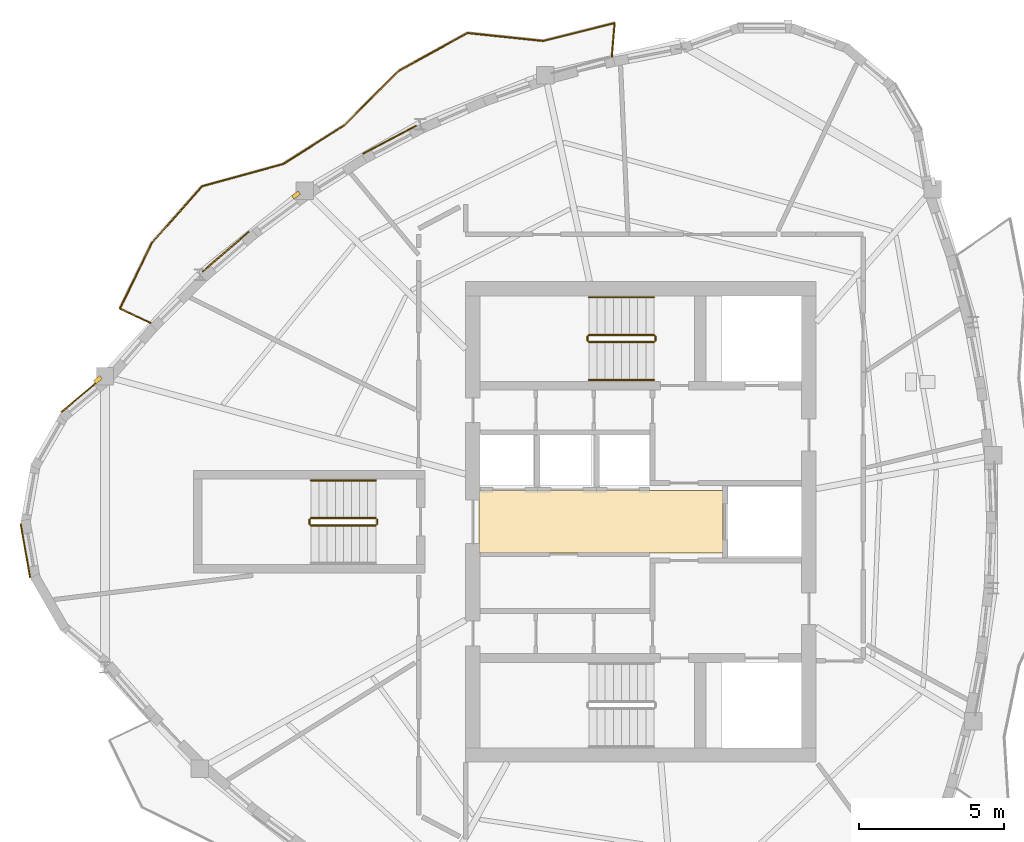
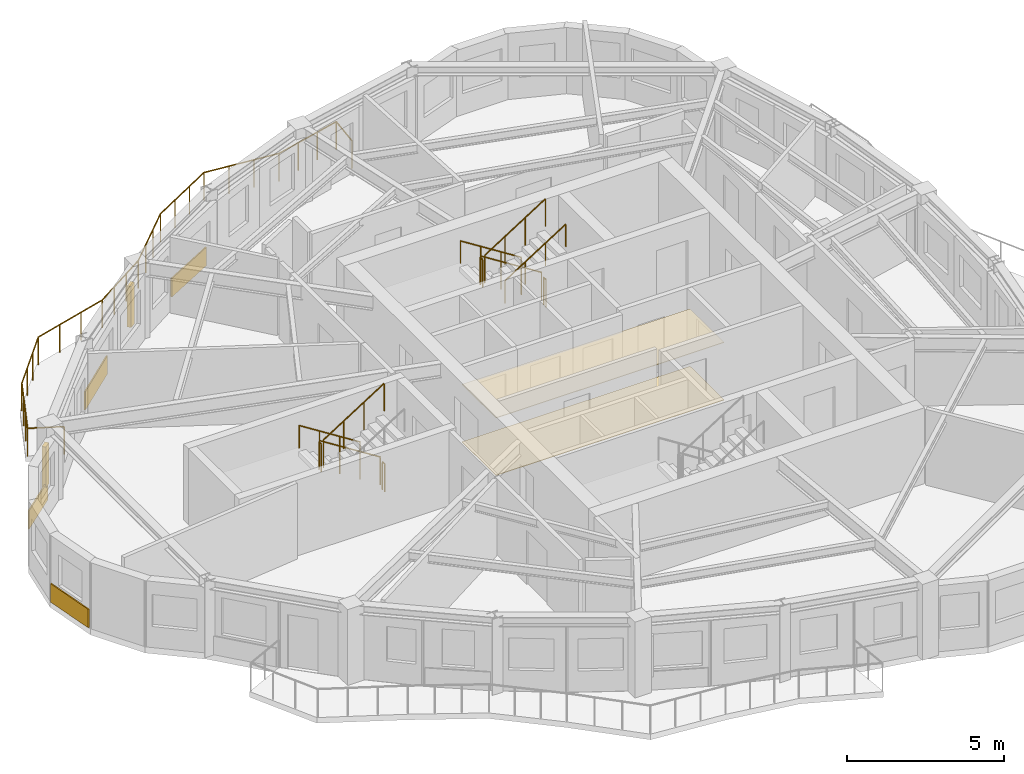
# One storey, part 9 of 11: 12 railings, 6 coverings, 2 shading devices.
"""IFC4 building model written with IfcOpenShell, lengths in metres."""

from ifc_helpers import new_model, si_unit, direction, frame, origin, origin_2d, place, context, subcontext, project, spatial, polyline, rectangle, circle, outline, extrude, source, transform, mapped, material, layer, layer_set, type_object, element, save


model = new_model("IFC4")

# Units and contexts
model_context = context("Model", 3, precision=1e-05, world=origin(), true_north=direction((0.0, 1.0)))
body_context = subcontext(model_context, "Body", "Model", "MODEL_VIEW")
ifc_project = project(units=[si_unit("LENGTHUNIT", "METRE"), si_unit("AREAUNIT", "SQUARE_METRE"), si_unit("VOLUMEUNIT", "CUBIC_METRE"), si_unit("PLANEANGLEUNIT", "RADIAN"), si_unit("MASSUNIT", "GRAM", prefix="KILO")], contexts=[model_context])

# Site, building, storey
site_placement = place(None, origin())
site = spatial("IfcSite", under=ifc_project, at=site_placement, CompositionType="ELEMENT")
building_placement = place(site_placement, origin())
building = spatial("IfcBuilding", under=site, at=building_placement, Name="Qafzar Sky-Pleat Residences", CompositionType="ELEMENT")
storey_placement = place(building_placement, frame((0.0, 0.0, 218.0)))
storey = spatial("IfcBuildingStorey", under=building, at=storey_placement, Name="L65", CompositionType="ELEMENT", Elevation=218.0)

# Coverings
ifc_material_1 = material(Name="Perforated acoustic gypsum board ceiling")
ifc_layer_1 = layer(ifc_material_1, 0.02001953125)
ifc_layer_set_1 = layer_set([ifc_layer_1], Name="Perforated acoustic gypsum board ceiling")
covering_type_1 = type_object("IfcCoveringType", Name="COV-CEIL-ACOUSTIC", PredefinedType="CEILING", material=ifc_layer_set_1)
covering_1_placement = place(storey_placement, frame((0.0, 0.0, 2.239990234375)))
element("IfcCovering", 1, at=covering_1_placement, inside=storey, type_object=covering_type_1, Name="L65 Passenger Lift Lobby Acoustic Ceiling", PredefinedType="CEILING", context=body_context, shape_type="SweptSolid", body=[
    extrude(outline(polyline([(33.179931640625, 24.919921875), (24.77001953125, 24.919921875), (24.77001953125, 27.080078125), (33.179931640625, 27.080078125), (33.179931640625, 24.919921875)])), origin(), (0.0, 0.0, 1.0), 0.02001953125),
])
ifc_material_2 = material(Name="Honed porcelain and Riyadh stone tile flooring", Category="masonry")
ifc_layer_2 = layer(ifc_material_2, 0.02001953125)
ifc_layer_set_2 = layer_set([ifc_layer_2], Name="Honed porcelain and Riyadh stone tile flooring")
covering_type_2 = type_object("IfcCoveringType", Name="COV-FLR-PORCELAIN", PredefinedType="FLOORING", material=ifc_layer_set_2)
covering_2_placement = place(storey_placement, origin())
element("IfcCovering", 2, at=covering_2_placement, inside=storey, type_object=covering_type_2, Name="L65 Passenger Lift Lobby Honed Stone Flooring", PredefinedType="FLOORING", context=body_context, shape_type="SweptSolid", body=[
    extrude(outline(polyline([(33.179931640625, 24.919921875), (24.77001953125, 24.919921875), (24.77001953125, 27.080078125), (33.179931640625, 27.080078125), (33.179931640625, 24.919921875)])), origin(), (0.0, 0.0, 1.0), 0.02001953125),
])

# Shading devices
ifc_material_3 = material(Name="Honed Riyadh limestone solar fin", Category="masonry")
ifc_layer_3 = layer(ifc_material_3, 0.139892578125)
ifc_layer_set_3 = layer_set([ifc_layer_3], Name="Honed Riyadh limestone solar fin")
shading_device_type = type_object("IfcShadingDeviceType", Name="SHD-FIN-STONE", PredefinedType="SHUTTER", material=ifc_layer_set_3)
shared_shape_1 = source(origin(), body_context, "Body", "SweptSolid", [
    extrude(rectangle(XDim=0.139892578125, YDim=0.280029296875, at=origin_2d()), origin(), (0.0, 0.0, 1.0), 1.60009765625),
])
for number, where, z_axis, x_axis, name in (
    (3, (11.608154296875, 30.90478515625, 0.599853515625), (0.0, 0.0, 1.0), (-0.642754210861, 0.76607246682, 0.0), "L65 Limestone Solar Fin 1"),
    (4, (18.4462890625, 37.279296875, 0.599853515625), (0.0, 0.0, 1.0), (-0.594882727746, 0.803812503156, 0.0), "L65 Limestone Solar Fin 45"),
):
    element("IfcShadingDevice", number, at=place(storey_placement, frame(where, z_axis=z_axis, x_axis=x_axis)), inside=storey, type_object=shading_device_type, Name=name, PredefinedType="SHUTTER", context=body_context, shape_type="MappedRepresentation", body=[
        mapped(shared_shape_1, transform((0.0, 0.0, 0.0), x_axis=(1.0, 0.0, 0.0), y_axis=(0.0, 1.0, 0.0), z_axis=(0.0, 0.0, 1.0), scale=1.0)),
    ])

# Coverings
ifc_material_4 = material(Name="Honed Riyadh Tuwaiq limestone cladding", Category="masonry")
ifc_layer_4 = layer(ifc_material_4, 0.044921875)
ifc_layer_set_4 = layer_set([ifc_layer_4], Name="Honed Riyadh Tuwaiq limestone cladding")
covering_type_3 = type_object("IfcCoveringType", Name="COV-CLAD-STONE", PredefinedType="CLADDING", material=ifc_layer_set_4)
shared_shape_2 = source(origin(), body_context, "Body", "SweptSolid", [
    extrude(rectangle(XDim=1.88134765625, YDim=0.044921875, at=origin_2d()), origin(), (0.0, 0.0, 1.0), 0.719970703125),
])
covering_3_placement = place(storey_placement, frame((9.103271484375, 25.00439453125, 0.02001953125), z_axis=(0.0, 0.0, 1.0), x_axis=(0.173662519465, -0.984805224059, 0.0)))
element("IfcCovering", 5, at=covering_3_placement, inside=storey, type_object=covering_type_3, Name="L65 Riyadh Limestone Spandrel Cladding 4", PredefinedType="CLADDING", context=body_context, shape_type="MappedRepresentation", body=[
    mapped(shared_shape_2, transform((0.0, 0.0, 0.0), x_axis=(1.0, 0.0, 0.0), y_axis=(0.0, 1.0, 0.0), z_axis=(0.0, 0.0, 1.0), scale=1.0)),
])
shared_shape_3 = source(origin(), body_context, "Body", "SweptSolid", [
    extrude(rectangle(XDim=1.76611328125, YDim=0.044921875, at=origin_2d()), origin(), (0.0, 0.0, 1.0), 0.719970703125),
])
covering_4_placement = place(storey_placement, frame((11.015380859375, 30.351318359375, 0.02001953125), z_axis=(0.0, 0.0, 1.0), x_axis=(-0.76607417096, -0.642752179762, 0.0)))
element("IfcCovering", 6, at=covering_4_placement, inside=storey, type_object=covering_type_3, Name="L65 Riyadh Limestone Spandrel Cladding 1", PredefinedType="CLADDING", context=body_context, shape_type="MappedRepresentation", body=[
    mapped(shared_shape_3, transform((0.0, 0.0, 0.0), x_axis=(1.0, 0.0, 0.0), y_axis=(0.0, 1.0, 0.0), z_axis=(0.0, 0.0, 1.0), scale=1.0)),
])
shared_shape_4 = source(origin(), body_context, "Body", "SweptSolid", [
    extrude(rectangle(XDim=2.0830078125, YDim=0.044921875, at=origin_2d()), origin(), (0.0, 0.0, 1.0), 0.719970703125),
])
covering_5_placement = place(storey_placement, frame((21.677001953125, 39.1904296875, 0.02001953125), z_axis=(0.0, 0.0, 1.0), x_axis=(-0.884395651499, -0.466737968896, 0.0)))
element("IfcCovering", 7, at=covering_5_placement, inside=storey, type_object=covering_type_3, Name="L65 Riyadh Limestone Spandrel Cladding 43", PredefinedType="CLADDING", context=body_context, shape_type="MappedRepresentation", body=[
    mapped(shared_shape_4, transform((0.0, 0.0, 0.0), x_axis=(1.0, 0.0, 0.0), y_axis=(0.0, 1.0, 0.0), z_axis=(0.0, 0.0, 1.0), scale=1.0)),
])
shared_shape_5 = source(origin(), body_context, "Body", "SweptSolid", [
    extrude(rectangle(XDim=2.11865234375, YDim=0.044921875, at=origin_2d()), origin(), (0.0, 0.0, 1.0), 0.719970703125),
])
covering_6_placement = place(storey_placement, frame((16.01953125, 35.324462890625, 0.02001953125), z_axis=(0.0, 0.0, 1.0), x_axis=(-0.757484574267, -0.652853061376, 0.0)))
element("IfcCovering", 8, at=covering_6_placement, inside=storey, type_object=covering_type_3, Name="L65 Riyadh Limestone Spandrel Cladding 46", PredefinedType="CLADDING", context=body_context, shape_type="MappedRepresentation", body=[
    mapped(shared_shape_5, transform((0.0, 0.0, 0.0), x_axis=(1.0, 0.0, 0.0), y_axis=(0.0, 1.0, 0.0), z_axis=(0.0, 0.0, 1.0), scale=1.0)),
])

# Railings
ifc_material_5 = material(Name="Laminated glass and bronze steel balustrade", Category="steel")
railing_type_1 = type_object("IfcRailingType", Name="RAIL-BAL-1100", PredefinedType="BALUSTRADE", material=ifc_material_5)
shared_shape_6 = source(origin(), body_context, "Body", "SweptSolid", [
    extrude(circle(Radius=0.02392578125, at=origin_2d()), frame((0.0, 0.0, 1.076171875), z_axis=(0.083525741436, 0.996505619913, 0.0), x_axis=(-0.996505619913, 0.083525741436, 0.0)), (0.0, 0.0, 1.0), 1.177978515625),
    extrude(circle(Radius=0.02392578125, at=origin_2d()), frame((0.098388671875, 1.173828125, 1.076171875), z_axis=(-0.970085963731, -0.242761658779, 0.0), x_axis=(0.242761658779, -0.970085963731, 0.0)), (0.0, 0.0, 1.0), 2.541259765625),
    extrude(circle(Radius=0.02392578125, at=origin_2d()), frame((-2.366943359375, 0.556884765625, 1.076171875), z_axis=(-0.994540528943, 0.104351024386, 0.0), x_axis=(-0.104351024386, -0.994540528943, 0.0)), (0.0, 0.0, 1.0), 2.62744140625),
    extrude(circle(Radius=0.02392578125, at=origin_2d()), frame((-4.97998046875, 0.8310546875, 1.076171875), z_axis=(-0.875910423282, -0.482473761345, 0.0), x_axis=(0.482473761345, -0.875910423282, 0.0)), (0.0, 0.0, 1.0), 2.684326171875),
    extrude(circle(Radius=0.02392578125, at=origin_2d()), frame((-7.331298828125, -0.464111328125, 1.076171875), z_axis=(-0.709638596907, -0.704565867595, 0.0), x_axis=(0.704565867595, -0.709638596907, 0.0)), (0.0, 0.0, 1.0), 2.695068359375),
    extrude(circle(Radius=0.02392578125, at=origin_2d()), frame((-9.243896484375, -2.363037109375, 1.076171875), z_axis=(-0.84481759386, -0.535054420695, 0.0), x_axis=(0.535054420695, -0.84481759386, 0.0)), (0.0, 0.0, 1.0), 2.482666015625),
    extrude(circle(Radius=0.02392578125, at=origin_2d()), frame((-11.34130859375, -3.69140625, 1.076171875), z_axis=(-0.964468266702, -0.264198717871, 0.0), x_axis=(0.264198717871, -0.964468266702, 0.0)), (0.0, 0.0, 1.0), 2.903564453125),
    extrude(circle(Radius=0.02392578125, at=origin_2d()), frame((-14.1416015625, -4.45849609375, 1.076171875), z_axis=(-0.663436920311, -0.748232218478, 0.0), x_axis=(0.748232218478, -0.663436920311, 0.0)), (0.0, 0.0, 1.0), 2.6171875),
    extrude(circle(Radius=0.02392578125, at=origin_2d()), frame((-15.8779296875, -6.416748046875, 1.076171875), z_axis=(-0.436294891901, -0.899803738213, 0.0), x_axis=(0.899803738213, -0.436294891901, 0.0)), (0.0, 0.0, 1.0), 2.52099609375),
    extrude(circle(Radius=0.02392578125, at=origin_2d()), frame((-16.977783203125, -8.68505859375, 1.076171875), z_axis=(0.904748228612, -0.42594676055, 0.0), x_axis=(0.42594676055, 0.904748228612, 0.0)), (0.0, 0.0, 1.0), 1.177978515625),
    extrude(circle(Radius=0.02099609375, at=origin_2d()), origin(), (0.0, 0.0, 1.0), 1.052001953125),
    extrude(circle(Radius=0.02099609375, at=origin_2d()), frame((0.098388671875, 1.173828125, 0.0)), (0.0, 0.0, 1.0), 1.052001953125),
    extrude(circle(Radius=0.02099609375, at=origin_2d()), frame((-0.723388671875, 0.96826171875, 0.0)), (0.0, 0.0, 1.0), 1.052001953125),
    extrude(circle(Radius=0.02099609375, at=origin_2d()), frame((-1.545166015625, 0.762451171875, 0.0)), (0.0, 0.0, 1.0), 1.052001953125),
    extrude(circle(Radius=0.02099609375, at=origin_2d()), frame((-2.366943359375, 0.556884765625, 0.0)), (0.0, 0.0, 1.0), 1.052001953125),
    extrude(circle(Radius=0.02099609375, at=origin_2d()), frame((-3.238037109375, 0.648193359375, 0.0)), (0.0, 0.0, 1.0), 1.052001953125),
    extrude(circle(Radius=0.02099609375, at=origin_2d()), frame((-4.10888671875, 0.73974609375, 0.0)), (0.0, 0.0, 1.0), 1.052001953125),
    extrude(circle(Radius=0.02099609375, at=origin_2d()), frame((-4.97998046875, 0.8310546875, 0.0)), (0.0, 0.0, 1.0), 1.052001953125),
    extrude(circle(Radius=0.02099609375, at=origin_2d()), frame((-5.763671875, 0.3994140625, 0.0)), (0.0, 0.0, 1.0), 1.052001953125),
    extrude(circle(Radius=0.02099609375, at=origin_2d()), frame((-6.547607421875, -0.032470703125, 0.0)), (0.0, 0.0, 1.0), 1.052001953125),
    extrude(circle(Radius=0.02099609375, at=origin_2d()), frame((-7.331298828125, -0.464111328125, 0.0)), (0.0, 0.0, 1.0), 1.052001953125),
    extrude(circle(Radius=0.02099609375, at=origin_2d()), frame((-7.96875, -1.09716796875, 0.0)), (0.0, 0.0, 1.0), 1.052001953125),
    extrude(circle(Radius=0.02099609375, at=origin_2d()), frame((-8.6064453125, -1.72998046875, 0.0)), (0.0, 0.0, 1.0), 1.052001953125),
    extrude(circle(Radius=0.02099609375, at=origin_2d()), frame((-9.243896484375, -2.363037109375, 0.0)), (0.0, 0.0, 1.0), 1.052001953125),
    extrude(circle(Radius=0.02099609375, at=origin_2d()), frame((-9.943115234375, -2.805908203125, 0.0)), (0.0, 0.0, 1.0), 1.052001953125),
    extrude(circle(Radius=0.02099609375, at=origin_2d()), frame((-10.64208984375, -3.24853515625, 0.0)), (0.0, 0.0, 1.0), 1.052001953125),
    extrude(circle(Radius=0.02099609375, at=origin_2d()), frame((-11.34130859375, -3.69140625, 0.0)), (0.0, 0.0, 1.0), 1.052001953125),
    extrude(circle(Radius=0.02099609375, at=origin_2d()), frame((-12.274658203125, -3.947021484375, 0.0)), (0.0, 0.0, 1.0), 1.052001953125),
    extrude(circle(Radius=0.02099609375, at=origin_2d()), frame((-13.208251953125, -4.202880859375, 0.0)), (0.0, 0.0, 1.0), 1.052001953125),
    extrude(circle(Radius=0.02099609375, at=origin_2d()), frame((-14.1416015625, -4.45849609375, 0.0)), (0.0, 0.0, 1.0), 1.052001953125),
    extrude(circle(Radius=0.02099609375, at=origin_2d()), frame((-14.720458984375, -5.111328125, 0.0)), (0.0, 0.0, 1.0), 1.052001953125),
    extrude(circle(Radius=0.02099609375, at=origin_2d()), frame((-15.299072265625, -5.763916015625, 0.0)), (0.0, 0.0, 1.0), 1.052001953125),
    extrude(circle(Radius=0.02099609375, at=origin_2d()), frame((-15.8779296875, -6.416748046875, 0.0)), (0.0, 0.0, 1.0), 1.052001953125),
    extrude(circle(Radius=0.02099609375, at=origin_2d()), frame((-16.24462890625, -7.1728515625, 0.0)), (0.0, 0.0, 1.0), 1.052001953125),
    extrude(circle(Radius=0.02099609375, at=origin_2d()), frame((-16.611083984375, -7.928955078125, 0.0)), (0.0, 0.0, 1.0), 1.052001953125),
    extrude(circle(Radius=0.02099609375, at=origin_2d()), frame((-16.977783203125, -8.68505859375, 0.0)), (0.0, 0.0, 1.0), 1.052001953125),
    extrude(circle(Radius=0.02099609375, at=origin_2d()), frame((-15.912109375, -9.186767578125, 0.0)), (0.0, 0.0, 1.0), 1.052001953125),
])
railing_1_placement = place(storey_placement, frame((29.34619140625, 42.0419921875, 0.0)))
element("IfcRailing", 9, at=railing_1_placement, inside=storey, type_object=railing_type_1, Name="L65 Pleated Balcony 2 Balustrade", PredefinedType="BALUSTRADE", context=body_context, shape_type="MappedRepresentation", body=[
    mapped(shared_shape_6, transform((0.0, 0.0, 0.0), x_axis=(1.0, 0.0, 0.0), y_axis=(0.0, 1.0, 0.0), z_axis=(0.0, 0.0, 1.0), scale=1.0)),
])
ifc_material_6 = material(Name="Painted Steel S355 stair guardrail", Category="steel")
railing_type_2 = type_object("IfcRailingType", Name="RAIL-STAIR-GUARD", PredefinedType="GUARDRAIL", material=ifc_material_6)
shared_shape_7 = source(origin(), body_context, "Body", "SweptSolid", [
    extrude(circle(Radius=0.02392578125, at=origin_2d()), frame((0.0, 0.0, 1.076171875), z_axis=(0.0, -1.0, 0.0), x_axis=(1.0, 0.0, 0.0)), (0.0, 0.0, 1.0), 0.14990234375),
    extrude(circle(Radius=0.02099609375, at=origin_2d()), origin(), (0.0, 0.0, 1.0), 1.052001953125),
    extrude(circle(Radius=0.02099609375, at=origin_2d()), frame((0.0, -0.14990234375, 0.0)), (0.0, 0.0, 1.0), 1.052001953125),
])
for number, where, name in (
    (10, (28.510009765625, 32.39990234375, 1.60009765625), "L65 ST2 stair guard 2"),
    (11, (30.85009765625, 32.39990234375, 0.0), "L65 ST2 stair guard 4"),
    (12, (18.909912109375, 26.074951171875, 1.60009765625), "L65 ST3 stair guard 2"),
    (13, (21.25, 26.074951171875, 0.0), "L65 ST3 stair guard 4"),
):
    element("IfcRailing", number, at=place(storey_placement, frame(where)), inside=storey, type_object=railing_type_2, Name=name, PredefinedType="GUARDRAIL", context=body_context, shape_type="MappedRepresentation", body=[
        mapped(shared_shape_7, transform((0.0, 0.0, 0.0), x_axis=(1.0, 0.0, 0.0), y_axis=(0.0, 1.0, 0.0), z_axis=(0.0, 0.0, 1.0), scale=1.0)),
    ])
shared_shape_8 = source(origin(), body_context, "Body", "SweptSolid", [
    extrude(circle(Radius=0.02392578125, at=origin_2d()), frame((0.0, 0.0, 1.076171875), z_axis=(0.8442293374, 0.0, 0.53598211339), x_axis=(0.0, 1.0, 0.0)), (0.0, 0.0, 1.0), 2.6533203125),
    extrude(circle(Radius=0.02099609375, at=origin_2d()), origin(), (0.0, 0.0, 1.0), 1.052001953125),
    extrude(circle(Radius=0.02099609375, at=origin_2d()), frame((0.74658203125, 0.0, 0.47412109375)), (0.0, 0.0, 1.0), 1.052001953125),
    extrude(circle(Radius=0.02099609375, at=origin_2d()), frame((1.493408203125, 0.0, 0.947998046875)), (0.0, 0.0, 1.0), 1.052001953125),
    extrude(circle(Radius=0.02099609375, at=origin_2d()), frame((2.239990234375, 0.0, 1.422119140625)), (0.0, 0.0, 1.0), 1.052001953125),
])
for number, where, name in (
    (14, (28.56005859375, 32.199951171875, 1.77783203125), "L65 ST2 stair guard 3"),
    (15, (18.9599609375, 25.875, 1.77783203125), "L65 ST3 stair guard 3"),
):
    element("IfcRailing", number, at=place(storey_placement, frame(where)), inside=storey, type_object=railing_type_2, Name=name, PredefinedType="GUARDRAIL", context=body_context, shape_type="MappedRepresentation", body=[
        mapped(shared_shape_8, transform((0.0, 0.0, 0.0), x_axis=(1.0, 0.0, 0.0), y_axis=(0.0, 1.0, 0.0), z_axis=(0.0, 0.0, 1.0), scale=1.0)),
    ])
ifc_material_7 = material(Name="Brushed stainless steel handrail", Category="steel")
railing_type_3 = type_object("IfcRailingType", Name="RAIL-STAIR-HAND", PredefinedType="HANDRAIL", material=ifc_material_7)
shared_shape_9 = source(origin(), body_context, "Body", "SweptSolid", [
    extrude(circle(Radius=0.02392578125, at=origin_2d()), frame((0.0, 0.0, 0.8759765625), z_axis=(0.8442293374, 0.0, 0.53598211339), x_axis=(0.0, 1.0, 0.0)), (0.0, 0.0, 1.0), 2.6533203125),
    extrude(circle(Radius=0.02099609375, at=origin_2d()), origin(), (0.0, 0.0, 1.0), 0.851806640625),
    extrude(circle(Radius=0.02099609375, at=origin_2d()), frame((0.74658203125, 0.0, 0.47412109375)), (0.0, 0.0, 1.0), 0.851806640625),
    extrude(circle(Radius=0.02099609375, at=origin_2d()), frame((1.493408203125, 0.0, 0.947998046875)), (0.0, 0.0, 1.0), 0.851806640625),
    extrude(circle(Radius=0.02099609375, at=origin_2d()), frame((2.239990234375, 0.0, 1.422119140625)), (0.0, 0.0, 1.0), 0.851806640625),
])
railing_2_placement = place(storey_placement, frame((28.56005859375, 30.89990234375, 1.77783203125)))
element("IfcRailing", 16, at=railing_2_placement, inside=storey, type_object=railing_type_3, Name="L65 ST2 stair handrail 2", PredefinedType="HANDRAIL", context=body_context, shape_type="MappedRepresentation", body=[
    mapped(shared_shape_9, transform((0.0, 0.0, 0.0), x_axis=(1.0, 0.0, 0.0), y_axis=(0.0, 1.0, 0.0), z_axis=(0.0, 0.0, 1.0), scale=1.0)),
])
shared_shape_10 = source(origin(), body_context, "Body", "SweptSolid", [
    extrude(circle(Radius=0.02392578125, at=origin_2d()), frame((0.0, 0.0, 1.076171875), z_axis=(-0.84418770128, 0.0, 0.536047689118), x_axis=(0.0, -1.0, 0.0)), (0.0, 0.0, 1.0), 2.6533203125),
    extrude(circle(Radius=0.02099609375, at=origin_2d()), origin(), (0.0, 0.0, 1.0), 1.052001953125),
    extrude(circle(Radius=0.02099609375, at=origin_2d()), frame((-0.74658203125, 0.0, 0.47412109375)), (0.0, 0.0, 1.0), 1.052001953125),
    extrude(circle(Radius=0.02099609375, at=origin_2d()), frame((-1.493408203125, 0.0, 0.9482421875)), (0.0, 0.0, 1.0), 1.052001953125),
    extrude(circle(Radius=0.02099609375, at=origin_2d()), frame((-2.239990234375, 0.0, 1.42236328125)), (0.0, 0.0, 1.0), 1.052001953125),
])
for number, where, name in (
    (17, (30.800048828125, 32.449951171875, 0.177734375), "L65 ST2 stair guard 1"),
    (18, (21.199951171875, 26.125, 0.177734375), "L65 ST3 stair guard 1"),
):
    element("IfcRailing", number, at=place(storey_placement, frame(where)), inside=storey, type_object=railing_type_2, Name=name, PredefinedType="GUARDRAIL", context=body_context, shape_type="MappedRepresentation", body=[
        mapped(shared_shape_10, transform((0.0, 0.0, 0.0), x_axis=(1.0, 0.0, 0.0), y_axis=(0.0, 1.0, 0.0), z_axis=(0.0, 0.0, 1.0), scale=1.0)),
    ])
shared_shape_11 = source(origin(), body_context, "Body", "SweptSolid", [
    extrude(circle(Radius=0.02392578125, at=origin_2d()), frame((0.0, 0.0, 0.8759765625), z_axis=(-0.84418770128, 0.0, 0.536047689118), x_axis=(0.0, -1.0, 0.0)), (0.0, 0.0, 1.0), 2.6533203125),
    extrude(circle(Radius=0.02099609375, at=origin_2d()), origin(), (0.0, 0.0, 1.0), 0.851806640625),
    extrude(circle(Radius=0.02099609375, at=origin_2d()), frame((-0.74658203125, 0.0, 0.47412109375)), (0.0, 0.0, 1.0), 0.851806640625),
    extrude(circle(Radius=0.02099609375, at=origin_2d()), frame((-1.493408203125, 0.0, 0.9482421875)), (0.0, 0.0, 1.0), 0.851806640625),
    extrude(circle(Radius=0.02099609375, at=origin_2d()), frame((-2.239990234375, 0.0, 1.42236328125)), (0.0, 0.0, 1.0), 0.851806640625),
])
for number, where, name in (
    (19, (30.800048828125, 33.75, 0.177734375), "L65 ST2 stair handrail 1"),
    (20, (21.199951171875, 27.425048828125, 0.177734375), "L65 ST3 stair handrail 1"),
):
    element("IfcRailing", number, at=place(storey_placement, frame(where)), inside=storey, type_object=railing_type_3, Name=name, PredefinedType="HANDRAIL", context=body_context, shape_type="MappedRepresentation", body=[
        mapped(shared_shape_11, transform((0.0, 0.0, 0.0), x_axis=(1.0, 0.0, 0.0), y_axis=(0.0, 1.0, 0.0), z_axis=(0.0, 0.0, 1.0), scale=1.0)),
    ])

save(model, "model.ifc")
